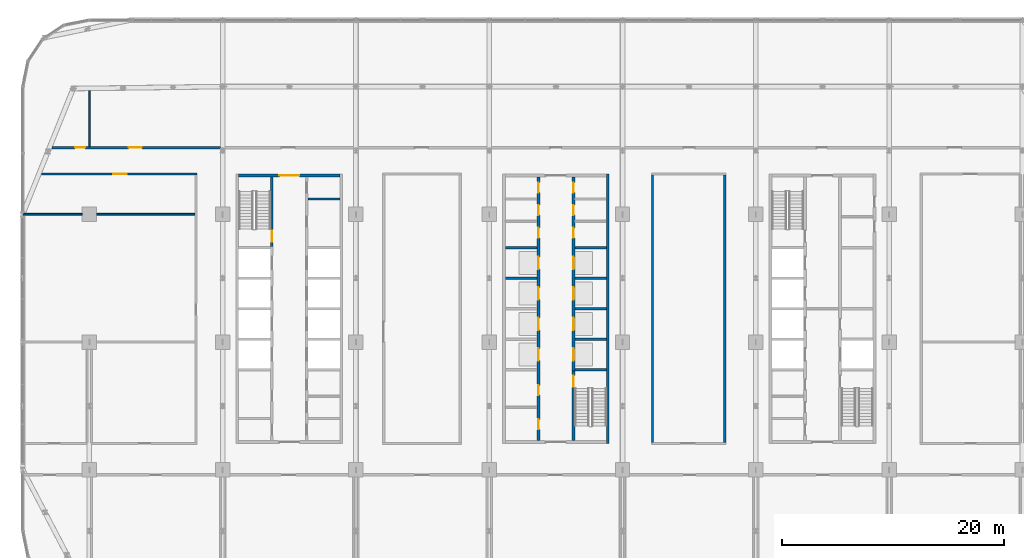
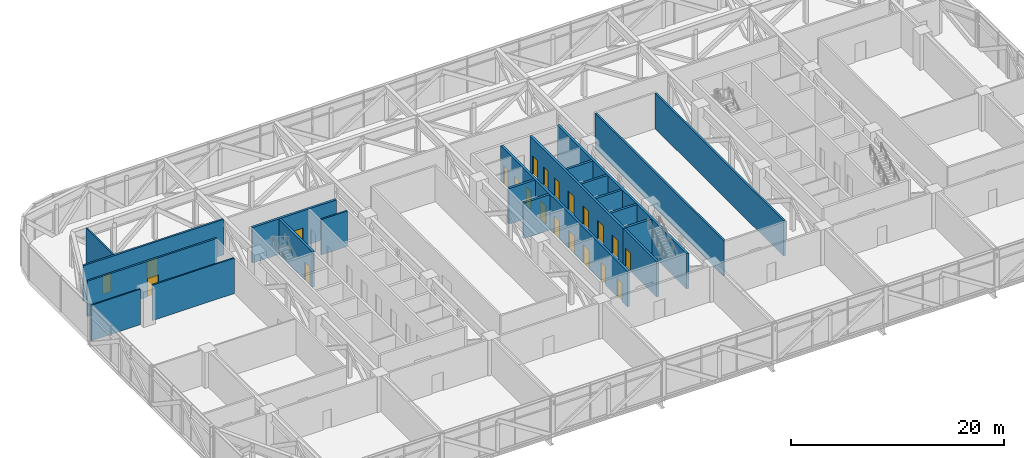
# One storey, part 18 of 30: 22 doors, 21 walls, 22 openings.
"""IFC4 building model written with IfcOpenShell, lengths in metres."""

from ifc_helpers import new_model, si_unit, direction, frame, frame_2d, origin, place, context, subcontext, project, spatial, rectangle, extrude, material, layer, layer_set, type_object, element, fill, save


model = new_model("IFC4")

# Units and contexts
model_context = context("Model", 3, precision=1e-05, world=origin(), true_north=direction((0.0, 1.0)))
body_context = subcontext(model_context, "Body", "Model", "MODEL_VIEW")
ifc_project = project(units=[si_unit("LENGTHUNIT", "METRE"), si_unit("AREAUNIT", "SQUARE_METRE"), si_unit("VOLUMEUNIT", "CUBIC_METRE"), si_unit("PLANEANGLEUNIT", "RADIAN"), si_unit("MASSUNIT", "GRAM", prefix="KILO")], contexts=[model_context])

# Site, building, storey
site_placement = place(None, origin())
site = spatial("IfcSite", under=ifc_project, at=site_placement, CompositionType="ELEMENT")
building_placement = place(site_placement, origin())
building = spatial("IfcBuilding", under=site, at=building_placement, Name="Mahtab Terrace Research Tower", CompositionType="ELEMENT")
storey_placement = place(building_placement, frame((0.0, 0.0, 154.800048828125)))
storey = spatial("IfcBuildingStorey", under=building, at=storey_placement, Name="L36", CompositionType="ELEMENT", Elevation=154.800048828125)

# Wall
ifc_material_1 = material(Name="Gypsum board partition")
ifc_layer_1 = layer(ifc_material_1, 0.14990234375)
ifc_layer_set_1 = layer_set([ifc_layer_1], Name="Core partition 150")
wall_type_1 = type_object("IfcWallType", Name="Core partition 150", PredefinedType="PARTITIONING", material=ifc_layer_set_1)
wall_1_placement = place(storey_placement, frame((-22.300048828125, 12.875, 0.0), z_axis=(0.0, 0.0, 1.0), x_axis=(1.0, 0.0, 0.0)))
element("IfcWall", 1, at=wall_1_placement, inside=storey, type_object=wall_type_1, Name="Core wall A pEN988", PredefinedType="PARTITIONING", context=body_context, shape_type="SweptSolid", body=[
    extrude(rectangle(XDim=2.85009765625, YDim=0.14990234375, at=frame_2d((1.425048828125, 0.0))), origin(), (0.0, 0.0, 1.0), 4.06005859375),
])

# Wall, opening, door
ifc_material_2 = material(Name="Concrete C70/85", Category="concrete")
ifc_layer_2 = layer(ifc_material_2, 0.25)
ifc_layer_set_2 = layer_set([ifc_layer_2], Name="Core wall 250")
wall_type_2 = type_object("IfcWallType", Name="Core wall 250", PredefinedType="SOLIDWALL", material=ifc_layer_set_2)
wall_2_placement = place(storey_placement, frame((-28.550048828125, 15.0, 0.0), z_axis=(0.0, 0.0, 1.0), x_axis=(1.0, 0.0, 0.0)))
wall_2 = element("IfcWall", 2, at=wall_2_placement, inside=storey, type_object=wall_type_2, Name="Core wall A endN", PredefinedType="SOLIDWALL", context=body_context, shape_type="SweptSolid", body=[
    extrude(rectangle(XDim=9.10009765625, YDim=0.25, at=frame_2d((4.550048828125, 0.0))), origin(), (0.0, 0.0, 1.0), 4.06005859375),
])
opening_1_placement = place(wall_2_placement, frame((3.64990234375, 0.0, 0.0)))
opening_1 = element("IfcOpeningElement", 3, at=opening_1_placement, cuts=wall_2, Name="Opening A-N1", PredefinedType="OPENING", context=body_context, shape_type="SweptSolid", body=[
    extrude(rectangle(XDim=1.800048828125, YDim=2.10009765625, at=frame_2d((0.89990234375, 1.050048828125))), frame((0.0, 0.135009765625, 0.0), z_axis=(0.0, -1.0, 0.0), x_axis=(1.0, 0.0, 0.0)), (0.0, 0.0, 1.0), 0.27001953125),
])
ifc_material_3 = material(Name="Steel fire door", Category="steel")
door_type_1 = type_object("IfcDoorType", Name="Lobby double door 1800x2100 1 HR", OperationType="DOUBLE_DOOR_SINGLE_SWING", PredefinedType="DOOR", material=ifc_material_3)
door_1_placement = place(opening_1_placement, origin())
door_1 = element("IfcDoor", 4, at=door_1_placement, inside=storey, type_object=door_type_1, Name="Core entrance door A N", OperationType="DOUBLE_DOOR_SINGLE_SWING", OverallHeight=2.10009765625, OverallWidth=1.800048828125, PredefinedType="DOOR", context=body_context, shape_type="SweptSolid", body=[
    extrude(rectangle(XDim=1.800048828125, YDim=2.10009765625, at=frame_2d((0.89990234375, 1.050048828125))), frame((0.0, 0.02490234375, 0.0), z_axis=(0.0, -1.0, 0.0), x_axis=(1.0, 0.0, 0.0)), (0.0, 0.0, 1.0), 0.050048828125),
])
fill(opening_1, door_1)

wall_3_placement = place(storey_placement, frame((-25.574951171875, 14.875, 0.0), z_axis=(0.0, 0.0, 1.0), x_axis=(0.0, -1.0, 0.0)))
wall_3 = element("IfcWall", 5, at=wall_3_placement, inside=storey, type_object=wall_type_2, Name="Core wall A innerWN", PredefinedType="SOLIDWALL", context=body_context, shape_type="SweptSolid", body=[
    extrude(rectangle(XDim=6.25, YDim=0.25, at=frame_2d((3.125, 0.0))), origin(), (0.0, 0.0, 1.0), 4.06005859375),
])
opening_2_placement = place(wall_3_placement, frame((4.85009765625, 0.0, 0.0)))
opening_2 = element("IfcOpeningElement", 6, at=opening_2_placement, cuts=wall_3, Name="Opening A-ST1", PredefinedType="OPENING", context=body_context, shape_type="SweptSolid", body=[
    extrude(rectangle(XDim=1.0, YDim=2.10009765625, at=frame_2d((0.5, 1.050048828125))), frame((0.0, 0.135009765625, 0.0), z_axis=(0.0, -1.0, 0.0), x_axis=(1.0, 0.0, 0.0)), (0.0, 0.0, 1.0), 0.27001953125),
])
door_type_2 = type_object("IfcDoorType", Name="Stair door 1000x2100 1.5 HR", OperationType="NOTDEFINED", PredefinedType="DOOR", material=ifc_material_3)
door_2_placement = place(opening_2_placement, origin())
door_2 = element("IfcDoor", 7, at=door_2_placement, inside=storey, type_object=door_type_2, Name="Stair door ST1 L36", OperationType="SINGLE_SWING_RIGHT", OverallHeight=2.10009765625, OverallWidth=1.0, PredefinedType="DOOR", context=body_context, shape_type="SweptSolid", body=[
    extrude(rectangle(XDim=1.0, YDim=2.10009765625, at=frame_2d((0.5, 1.050048828125))), frame((0.0, 0.02490234375, 0.0), z_axis=(0.0, -1.0, 0.0), x_axis=(1.0, 0.0, 0.0)), (0.0, 0.0, 1.0), 0.050048828125),
])
fill(opening_2, door_2)

# Wall
wall_4_placement = place(storey_placement, frame((4.675048828125, -9.125, 0.0), z_axis=(0.0, 0.0, 1.0), x_axis=(0.0, 1.0, 0.0)))
element("IfcWall", 8, at=wall_4_placement, inside=storey, type_object=wall_type_2, Name="Core wall B outerE", PredefinedType="SOLIDWALL", context=body_context, shape_type="SweptSolid", body=[
    extrude(rectangle(XDim=24.25, YDim=0.25, at=frame_2d((12.125, 0.0))), origin(), (0.0, 0.0, 1.0), 4.06005859375),
])

# Wall, openings, doors
wall_5_placement = place(storey_placement, frame((-1.574951171875, -8.875, 0.0), z_axis=(0.0, 0.0, 1.0), x_axis=(0.0, 1.0, 0.0)))
wall_5 = element("IfcWall", 9, at=wall_5_placement, inside=storey, type_object=wall_type_2, Name="Core wall B innerWSLN", PredefinedType="SOLIDWALL", context=body_context, shape_type="SweptSolid", body=[
    extrude(rectangle(XDim=23.75, YDim=0.25, at=frame_2d((11.875, 0.0))), origin(), (0.0, 0.0, 1.0), 4.06005859375),
])
opening_3_placement = place(wall_5_placement, frame((7.199951171875, 0.0, 0.0)))
opening_3 = element("IfcOpeningElement", 10, at=opening_3_placement, cuts=wall_5, Name="Opening LD09-L36", PredefinedType="OPENING", context=body_context, shape_type="SweptSolid", body=[
    extrude(rectangle(XDim=1.10009765625, YDim=2.10009765625, at=frame_2d((0.550048828125, 1.050048828125))), frame((0.0, 0.135009765625, 0.0), z_axis=(0.0, -1.0, 0.0), x_axis=(1.0, 0.0, 0.0)), (0.0, 0.0, 1.0), 0.27001953125),
])
opening_4_placement = place(wall_5_placement, frame((9.949951171875, 0.0, 0.0)))
opening_4 = element("IfcOpeningElement", 11, at=opening_4_placement, cuts=wall_5, Name="Opening LD10-L36", PredefinedType="OPENING", context=body_context, shape_type="SweptSolid", body=[
    extrude(rectangle(XDim=1.10009765625, YDim=2.10009765625, at=frame_2d((0.550048828125, 1.050048828125))), frame((0.0, 0.135009765625, 0.0), z_axis=(0.0, -1.0, 0.0), x_axis=(1.0, 0.0, 0.0)), (0.0, 0.0, 1.0), 0.27001953125),
])
opening_5_placement = place(wall_5_placement, frame((12.699951171875, 0.0, 0.0)))
opening_5 = element("IfcOpeningElement", 12, at=opening_5_placement, cuts=wall_5, Name="Opening LD11-L36", PredefinedType="OPENING", context=body_context, shape_type="SweptSolid", body=[
    extrude(rectangle(XDim=1.10009765625, YDim=2.10009765625, at=frame_2d((0.550048828125, 1.050048828125))), frame((0.0, 0.135009765625, 0.0), z_axis=(0.0, -1.0, 0.0), x_axis=(1.0, 0.0, 0.0)), (0.0, 0.0, 1.0), 0.27001953125),
])
opening_6_placement = place(wall_5_placement, frame((15.449951171875, 0.0, 0.0)))
opening_6 = element("IfcOpeningElement", 13, at=opening_6_placement, cuts=wall_5, Name="Opening LD12-L36", PredefinedType="OPENING", context=body_context, shape_type="SweptSolid", body=[
    extrude(rectangle(XDim=1.10009765625, YDim=2.10009765625, at=frame_2d((0.550048828125, 1.050048828125))), frame((0.0, 0.135009765625, 0.0), z_axis=(0.0, -1.0, 0.0), x_axis=(1.0, 0.0, 0.0)), (0.0, 0.0, 1.0), 0.27001953125),
])
opening_7_placement = place(wall_5_placement, frame((1.012451171875, 0.0, 0.0)))
opening_7 = element("IfcOpeningElement", 14, at=opening_7_placement, cuts=wall_5, Name="Opening B-R1", PredefinedType="OPENING", context=body_context, shape_type="SweptSolid", body=[
    extrude(rectangle(XDim=0.89990234375, YDim=2.10009765625, at=frame_2d((0.449951171875, 1.050048828125))), frame((0.0, 0.135009765625, 0.0), z_axis=(0.0, -1.0, 0.0), x_axis=(1.0, 0.0, 0.0)), (0.0, 0.0, 1.0), 0.27001953125),
])
opening_8_placement = place(wall_5_placement, frame((4.08740234375, 0.0, 0.0)))
opening_8 = element("IfcOpeningElement", 15, at=opening_8_placement, cuts=wall_5, Name="Opening B-R2", PredefinedType="OPENING", context=body_context, shape_type="SweptSolid", body=[
    extrude(rectangle(XDim=0.89990234375, YDim=2.10009765625, at=frame_2d((0.449951171875, 1.050048828125))), frame((0.0, 0.135009765625, 0.0), z_axis=(0.0, -1.0, 0.0), x_axis=(1.0, 0.0, 0.0)), (0.0, 0.0, 1.0), 0.27001953125),
])
opening_9_placement = place(wall_5_placement, frame((18.262451171875, 0.0, 0.0)))
opening_9 = element("IfcOpeningElement", 16, at=opening_9_placement, cuts=wall_5, Name="Opening B-R3", PredefinedType="OPENING", context=body_context, shape_type="SweptSolid", body=[
    extrude(rectangle(XDim=0.89990234375, YDim=2.10009765625, at=frame_2d((0.449951171875, 1.050048828125))), frame((0.0, 0.135009765625, 0.0), z_axis=(0.0, -1.0, 0.0), x_axis=(1.0, 0.0, 0.0)), (0.0, 0.0, 1.0), 0.27001953125),
])
opening_10_placement = place(wall_5_placement, frame((20.300048828125, 0.0, 0.0)))
opening_10 = element("IfcOpeningElement", 17, at=opening_10_placement, cuts=wall_5, Name="Opening B-R4", PredefinedType="OPENING", context=body_context, shape_type="SweptSolid", body=[
    extrude(rectangle(XDim=0.89990234375, YDim=2.10009765625, at=frame_2d((0.449951171875, 1.050048828125))), frame((0.0, 0.135009765625, 0.0), z_axis=(0.0, -1.0, 0.0), x_axis=(1.0, 0.0, 0.0)), (0.0, 0.0, 1.0), 0.27001953125),
])
opening_11_placement = place(wall_5_placement, frame((22.33740234375, 0.0, 0.0)))
opening_11 = element("IfcOpeningElement", 18, at=opening_11_placement, cuts=wall_5, Name="Opening B-R5", PredefinedType="OPENING", context=body_context, shape_type="SweptSolid", body=[
    extrude(rectangle(XDim=0.89990234375, YDim=2.10009765625, at=frame_2d((0.449951171875, 1.050048828125))), frame((0.0, 0.135009765625, 0.0), z_axis=(0.0, -1.0, 0.0), x_axis=(1.0, 0.0, 0.0)), (0.0, 0.0, 1.0), 0.27001953125),
])
ifc_material_4 = material(Name="Stainless steel AISI 304", Category="steel")
door_type_3 = type_object("IfcDoorType", Name="Landing door 1100x2100", OperationType="DOUBLE_DOOR_SLIDING", PredefinedType="DOOR", material=ifc_material_4)
door_3_placement = place(opening_3_placement, origin())
door_3 = element("IfcDoor", 19, at=door_3_placement, inside=storey, type_object=door_type_3, Name="Landing door HR1 L36", OperationType="DOUBLE_DOOR_SLIDING", OverallHeight=2.10009765625, OverallWidth=1.10009765625, PredefinedType="DOOR", context=body_context, shape_type="SweptSolid", body=[
    extrude(rectangle(XDim=1.10009765625, YDim=2.10009765625, at=frame_2d((0.550048828125, 1.050048828125))), frame((0.0, 0.02490234375, 0.0), z_axis=(0.0, -1.0, 0.0), x_axis=(1.0, 0.0, 0.0)), (0.0, 0.0, 1.0), 0.050048828125),
])
fill(opening_3, door_3)
door_4_placement = place(opening_4_placement, origin())
door_4 = element("IfcDoor", 20, at=door_4_placement, inside=storey, type_object=door_type_3, Name="Landing door HR2 L36", OperationType="DOUBLE_DOOR_SLIDING", OverallHeight=2.10009765625, OverallWidth=1.10009765625, PredefinedType="DOOR", context=body_context, shape_type="SweptSolid", body=[
    extrude(rectangle(XDim=1.10009765625, YDim=2.10009765625, at=frame_2d((0.550048828125, 1.050048828125))), frame((0.0, 0.02490234375, 0.0), z_axis=(0.0, -1.0, 0.0), x_axis=(1.0, 0.0, 0.0)), (0.0, 0.0, 1.0), 0.050048828125),
])
fill(opening_4, door_4)
door_5_placement = place(opening_5_placement, origin())
door_5 = element("IfcDoor", 21, at=door_5_placement, inside=storey, type_object=door_type_3, Name="Landing door HR3 L36", OperationType="DOUBLE_DOOR_SLIDING", OverallHeight=2.10009765625, OverallWidth=1.10009765625, PredefinedType="DOOR", context=body_context, shape_type="SweptSolid", body=[
    extrude(rectangle(XDim=1.10009765625, YDim=2.10009765625, at=frame_2d((0.550048828125, 1.050048828125))), frame((0.0, 0.02490234375, 0.0), z_axis=(0.0, -1.0, 0.0), x_axis=(1.0, 0.0, 0.0)), (0.0, 0.0, 1.0), 0.050048828125),
])
fill(opening_5, door_5)
door_6_placement = place(opening_6_placement, origin())
door_6 = element("IfcDoor", 22, at=door_6_placement, inside=storey, type_object=door_type_3, Name="Landing door HR4 L36", OperationType="DOUBLE_DOOR_SLIDING", OverallHeight=2.10009765625, OverallWidth=1.10009765625, PredefinedType="DOOR", context=body_context, shape_type="SweptSolid", body=[
    extrude(rectangle(XDim=1.10009765625, YDim=2.10009765625, at=frame_2d((0.550048828125, 1.050048828125))), frame((0.0, 0.02490234375, 0.0), z_axis=(0.0, -1.0, 0.0), x_axis=(1.0, 0.0, 0.0)), (0.0, 0.0, 1.0), 0.050048828125),
])
fill(opening_6, door_6)
door_type_4 = type_object("IfcDoorType", Name="Room door 900x2100 1 HR", OperationType="NOTDEFINED", PredefinedType="DOOR", material=ifc_material_3)
door_7_placement = place(opening_7_placement, origin())
door_7 = element("IfcDoor", 23, at=door_7_placement, inside=storey, type_object=door_type_4, Name="Housekeeping store door", OperationType="SINGLE_SWING_LEFT", OverallHeight=2.10009765625, OverallWidth=0.89990234375, PredefinedType="DOOR", context=body_context, shape_type="SweptSolid", body=[
    extrude(rectangle(XDim=0.89990234375, YDim=2.10009765625, at=frame_2d((0.449951171875, 1.050048828125))), frame((0.0, 0.02490234375, 0.0), z_axis=(0.0, -1.0, 0.0), x_axis=(1.0, 0.0, 0.0)), (0.0, 0.0, 1.0), 0.050048828125),
])
fill(opening_7, door_7)
door_8_placement = place(opening_8_placement, origin())
door_8 = element("IfcDoor", 24, at=door_8_placement, inside=storey, type_object=door_type_4, Name="Electrical riser room door", OperationType="SINGLE_SWING_RIGHT", OverallHeight=2.10009765625, OverallWidth=0.89990234375, PredefinedType="DOOR", context=body_context, shape_type="SweptSolid", body=[
    extrude(rectangle(XDim=0.89990234375, YDim=2.10009765625, at=frame_2d((0.449951171875, 1.050048828125))), frame((0.0, 0.02490234375, 0.0), z_axis=(0.0, -1.0, 0.0), x_axis=(1.0, 0.0, 0.0)), (0.0, 0.0, 1.0), 0.050048828125),
])
fill(opening_8, door_8)
door_9_placement = place(opening_9_placement, origin())
door_9 = element("IfcDoor", 25, at=door_9_placement, inside=storey, type_object=door_type_4, Name="Comms riser room door", OperationType="SINGLE_SWING_LEFT", OverallHeight=2.10009765625, OverallWidth=0.89990234375, PredefinedType="DOOR", context=body_context, shape_type="SweptSolid", body=[
    extrude(rectangle(XDim=0.89990234375, YDim=2.10009765625, at=frame_2d((0.449951171875, 1.050048828125))), frame((0.0, 0.02490234375, 0.0), z_axis=(0.0, -1.0, 0.0), x_axis=(1.0, 0.0, 0.0)), (0.0, 0.0, 1.0), 0.050048828125),
])
fill(opening_9, door_9)
door_10_placement = place(opening_10_placement, origin())
door_10 = element("IfcDoor", 26, at=door_10_placement, inside=storey, type_object=door_type_4, Name="Pantry door", OperationType="SINGLE_SWING_RIGHT", OverallHeight=2.10009765625, OverallWidth=0.89990234375, PredefinedType="DOOR", context=body_context, shape_type="SweptSolid", body=[
    extrude(rectangle(XDim=0.89990234375, YDim=2.10009765625, at=frame_2d((0.449951171875, 1.050048828125))), frame((0.0, 0.02490234375, 0.0), z_axis=(0.0, -1.0, 0.0), x_axis=(1.0, 0.0, 0.0)), (0.0, 0.0, 1.0), 0.050048828125),
])
fill(opening_10, door_10)
door_11_placement = place(opening_11_placement, origin())
door_11 = element("IfcDoor", 27, at=door_11_placement, inside=storey, type_object=door_type_4, Name="Cleaners store door", OperationType="SINGLE_SWING_LEFT", OverallHeight=2.10009765625, OverallWidth=0.89990234375, PredefinedType="DOOR", context=body_context, shape_type="SweptSolid", body=[
    extrude(rectangle(XDim=0.89990234375, YDim=2.10009765625, at=frame_2d((0.449951171875, 1.050048828125))), frame((0.0, 0.02490234375, 0.0), z_axis=(0.0, -1.0, 0.0), x_axis=(1.0, 0.0, 0.0)), (0.0, 0.0, 1.0), 0.050048828125),
])
fill(opening_11, door_11)

# Wall, opening, door
wall_6_placement = place(storey_placement, frame((1.574951171875, -8.875, 0.0), z_axis=(0.0, 0.0, 1.0), x_axis=(0.0, 1.0, 0.0)))
wall_6 = element("IfcWall", 28, at=wall_6_placement, inside=storey, type_object=wall_type_2, Name="Core wall B innerES", PredefinedType="SOLIDWALL", context=body_context, shape_type="SweptSolid", body=[
    extrude(rectangle(XDim=6.25, YDim=0.25, at=frame_2d((3.125, 0.0))), origin(), (0.0, 0.0, 1.0), 4.06005859375),
])
opening_12_placement = place(wall_6_placement, frame((4.85009765625, 0.0, 0.0)))
opening_12 = element("IfcOpeningElement", 29, at=opening_12_placement, cuts=wall_6, Name="Opening B-ST2", PredefinedType="OPENING", context=body_context, shape_type="SweptSolid", body=[
    extrude(rectangle(XDim=1.0, YDim=2.10009765625, at=frame_2d((0.5, 1.050048828125))), frame((0.0, 0.135009765625, 0.0), z_axis=(0.0, -1.0, 0.0), x_axis=(1.0, 0.0, 0.0)), (0.0, 0.0, 1.0), 0.27001953125),
])
door_12_placement = place(opening_12_placement, origin())
door_12 = element("IfcDoor", 30, at=door_12_placement, inside=storey, type_object=door_type_2, Name="Stair door ST2 L36", OperationType="SINGLE_SWING_LEFT", OverallHeight=2.10009765625, OverallWidth=1.0, PredefinedType="DOOR", context=body_context, shape_type="SweptSolid", body=[
    extrude(rectangle(XDim=1.0, YDim=2.10009765625, at=frame_2d((0.5, 1.050048828125))), frame((0.0, 0.02490234375, 0.0), z_axis=(0.0, -1.0, 0.0), x_axis=(1.0, 0.0, 0.0)), (0.0, 0.0, 1.0), 0.050048828125),
])
fill(opening_12, door_12)

# Wall, openings, doors
wall_7_placement = place(storey_placement, frame((1.574951171875, 14.875, 0.0), z_axis=(0.0, 0.0, 1.0), x_axis=(0.0, -1.0, 0.0)))
wall_7 = element("IfcWall", 31, at=wall_7_placement, inside=storey, type_object=wall_type_2, Name="Core wall B innerELN", PredefinedType="SOLIDWALL", context=body_context, shape_type="SweptSolid", body=[
    extrude(rectangle(XDim=17.5, YDim=0.25, at=frame_2d((8.75, 0.0))), origin(), (0.0, 0.0, 1.0), 4.06005859375),
])
opening_13_placement = place(wall_7_placement, frame((15.449951171875, 0.0, 0.0)))
opening_13 = element("IfcOpeningElement", 32, at=opening_13_placement, cuts=wall_7, Name="Opening LD13-L36", PredefinedType="OPENING", context=body_context, shape_type="SweptSolid", body=[
    extrude(rectangle(XDim=1.10009765625, YDim=2.10009765625, at=frame_2d((0.550048828125, 1.050048828125))), frame((0.0, 0.135009765625, 0.0), z_axis=(0.0, -1.0, 0.0), x_axis=(1.0, 0.0, 0.0)), (0.0, 0.0, 1.0), 0.27001953125),
])
opening_14_placement = place(wall_7_placement, frame((12.699951171875, 0.0, 0.0)))
opening_14 = element("IfcOpeningElement", 33, at=opening_14_placement, cuts=wall_7, Name="Opening LD14-L36", PredefinedType="OPENING", context=body_context, shape_type="SweptSolid", body=[
    extrude(rectangle(XDim=1.10009765625, YDim=2.10009765625, at=frame_2d((0.550048828125, 1.050048828125))), frame((0.0, 0.135009765625, 0.0), z_axis=(0.0, -1.0, 0.0), x_axis=(1.0, 0.0, 0.0)), (0.0, 0.0, 1.0), 0.27001953125),
])
opening_15_placement = place(wall_7_placement, frame((9.949951171875, 0.0, 0.0)))
opening_15 = element("IfcOpeningElement", 34, at=opening_15_placement, cuts=wall_7, Name="Opening LD15-L36", PredefinedType="OPENING", context=body_context, shape_type="SweptSolid", body=[
    extrude(rectangle(XDim=1.10009765625, YDim=2.10009765625, at=frame_2d((0.550048828125, 1.050048828125))), frame((0.0, 0.135009765625, 0.0), z_axis=(0.0, -1.0, 0.0), x_axis=(1.0, 0.0, 0.0)), (0.0, 0.0, 1.0), 0.27001953125),
])
opening_16_placement = place(wall_7_placement, frame((7.199951171875, 0.0, 0.0)))
opening_16 = element("IfcOpeningElement", 35, at=opening_16_placement, cuts=wall_7, Name="Opening LD16-L36", PredefinedType="OPENING", context=body_context, shape_type="SweptSolid", body=[
    extrude(rectangle(XDim=1.10009765625, YDim=2.10009765625, at=frame_2d((0.550048828125, 1.050048828125))), frame((0.0, 0.135009765625, 0.0), z_axis=(0.0, -1.0, 0.0), x_axis=(1.0, 0.0, 0.0)), (0.0, 0.0, 1.0), 0.27001953125),
])
opening_17_placement = place(wall_7_placement, frame((4.58740234375, 0.0, 0.0)))
opening_17 = element("IfcOpeningElement", 36, at=opening_17_placement, cuts=wall_7, Name="Opening B-R6", PredefinedType="OPENING", context=body_context, shape_type="SweptSolid", body=[
    extrude(rectangle(XDim=0.89990234375, YDim=2.10009765625, at=frame_2d((0.449951171875, 1.050048828125))), frame((0.0, 0.135009765625, 0.0), z_axis=(0.0, -1.0, 0.0), x_axis=(1.0, 0.0, 0.0)), (0.0, 0.0, 1.0), 0.27001953125),
])
opening_18_placement = place(wall_7_placement, frame((2.550048828125, 0.0, 0.0)))
opening_18 = element("IfcOpeningElement", 37, at=opening_18_placement, cuts=wall_7, Name="Opening B-R7", PredefinedType="OPENING", context=body_context, shape_type="SweptSolid", body=[
    extrude(rectangle(XDim=0.89990234375, YDim=2.10009765625, at=frame_2d((0.449951171875, 1.050048828125))), frame((0.0, 0.135009765625, 0.0), z_axis=(0.0, -1.0, 0.0), x_axis=(1.0, 0.0, 0.0)), (0.0, 0.0, 1.0), 0.27001953125),
])
opening_19_placement = place(wall_7_placement, frame((0.512451171875, 0.0, 0.0)))
opening_19 = element("IfcOpeningElement", 38, at=opening_19_placement, cuts=wall_7, Name="Opening B-R8", PredefinedType="OPENING", context=body_context, shape_type="SweptSolid", body=[
    extrude(rectangle(XDim=0.89990234375, YDim=2.10009765625, at=frame_2d((0.449951171875, 1.050048828125))), frame((0.0, 0.135009765625, 0.0), z_axis=(0.0, -1.0, 0.0), x_axis=(1.0, 0.0, 0.0)), (0.0, 0.0, 1.0), 0.27001953125),
])
door_13_placement = place(opening_13_placement, origin())
door_13 = element("IfcDoor", 39, at=door_13_placement, inside=storey, type_object=door_type_3, Name="Landing door HR5 L36", OperationType="DOUBLE_DOOR_SLIDING", OverallHeight=2.10009765625, OverallWidth=1.10009765625, PredefinedType="DOOR", context=body_context, shape_type="SweptSolid", body=[
    extrude(rectangle(XDim=1.10009765625, YDim=2.10009765625, at=frame_2d((0.550048828125, 1.050048828125))), frame((0.0, 0.02490234375, 0.0), z_axis=(0.0, -1.0, 0.0), x_axis=(1.0, 0.0, 0.0)), (0.0, 0.0, 1.0), 0.050048828125),
])
fill(opening_13, door_13)
door_14_placement = place(opening_14_placement, origin())
door_14 = element("IfcDoor", 40, at=door_14_placement, inside=storey, type_object=door_type_3, Name="Landing door HR6 L36", OperationType="DOUBLE_DOOR_SLIDING", OverallHeight=2.10009765625, OverallWidth=1.10009765625, PredefinedType="DOOR", context=body_context, shape_type="SweptSolid", body=[
    extrude(rectangle(XDim=1.10009765625, YDim=2.10009765625, at=frame_2d((0.550048828125, 1.050048828125))), frame((0.0, 0.02490234375, 0.0), z_axis=(0.0, -1.0, 0.0), x_axis=(1.0, 0.0, 0.0)), (0.0, 0.0, 1.0), 0.050048828125),
])
fill(opening_14, door_14)
door_15_placement = place(opening_15_placement, origin())
door_15 = element("IfcDoor", 41, at=door_15_placement, inside=storey, type_object=door_type_3, Name="Landing door HR7 L36", OperationType="DOUBLE_DOOR_SLIDING", OverallHeight=2.10009765625, OverallWidth=1.10009765625, PredefinedType="DOOR", context=body_context, shape_type="SweptSolid", body=[
    extrude(rectangle(XDim=1.10009765625, YDim=2.10009765625, at=frame_2d((0.550048828125, 1.050048828125))), frame((0.0, 0.02490234375, 0.0), z_axis=(0.0, -1.0, 0.0), x_axis=(1.0, 0.0, 0.0)), (0.0, 0.0, 1.0), 0.050048828125),
])
fill(opening_15, door_15)
door_16_placement = place(opening_16_placement, origin())
door_16 = element("IfcDoor", 42, at=door_16_placement, inside=storey, type_object=door_type_3, Name="Landing door HR8 L36", OperationType="DOUBLE_DOOR_SLIDING", OverallHeight=2.10009765625, OverallWidth=1.10009765625, PredefinedType="DOOR", context=body_context, shape_type="SweptSolid", body=[
    extrude(rectangle(XDim=1.10009765625, YDim=2.10009765625, at=frame_2d((0.550048828125, 1.050048828125))), frame((0.0, 0.02490234375, 0.0), z_axis=(0.0, -1.0, 0.0), x_axis=(1.0, 0.0, 0.0)), (0.0, 0.0, 1.0), 0.050048828125),
])
fill(opening_16, door_16)
door_17_placement = place(opening_17_placement, origin())
door_17 = element("IfcDoor", 43, at=door_17_placement, inside=storey, type_object=door_type_4, Name="Male WC door", OperationType="SINGLE_SWING_RIGHT", OverallHeight=2.10009765625, OverallWidth=0.89990234375, PredefinedType="DOOR", context=body_context, shape_type="SweptSolid", body=[
    extrude(rectangle(XDim=0.89990234375, YDim=2.10009765625, at=frame_2d((0.449951171875, 1.050048828125))), frame((0.0, 0.02490234375, 0.0), z_axis=(0.0, -1.0, 0.0), x_axis=(1.0, 0.0, 0.0)), (0.0, 0.0, 1.0), 0.050048828125),
])
fill(opening_17, door_17)
door_18_placement = place(opening_18_placement, origin())
door_18 = element("IfcDoor", 44, at=door_18_placement, inside=storey, type_object=door_type_4, Name="Female WC door", OperationType="SINGLE_SWING_LEFT", OverallHeight=2.10009765625, OverallWidth=0.89990234375, PredefinedType="DOOR", context=body_context, shape_type="SweptSolid", body=[
    extrude(rectangle(XDim=0.89990234375, YDim=2.10009765625, at=frame_2d((0.449951171875, 1.050048828125))), frame((0.0, 0.02490234375, 0.0), z_axis=(0.0, -1.0, 0.0), x_axis=(1.0, 0.0, 0.0)), (0.0, 0.0, 1.0), 0.050048828125),
])
fill(opening_18, door_18)
door_19_placement = place(opening_19_placement, origin())
door_19 = element("IfcDoor", 45, at=door_19_placement, inside=storey, type_object=door_type_4, Name="Accessible WC door", OperationType="SINGLE_SWING_RIGHT", OverallHeight=2.10009765625, OverallWidth=0.89990234375, PredefinedType="DOOR", context=body_context, shape_type="SweptSolid", body=[
    extrude(rectangle(XDim=0.89990234375, YDim=2.10009765625, at=frame_2d((0.449951171875, 1.050048828125))), frame((0.0, 0.02490234375, 0.0), z_axis=(0.0, -1.0, 0.0), x_axis=(1.0, 0.0, 0.0)), (0.0, 0.0, 1.0), 0.050048828125),
])
fill(opening_19, door_19)

# Walls
for number, where, z_axis, x_axis, name in (
    (46, (-4.550048828125, 5.75, 0.0), (0.0, 0.0, 1.0), (1.0, 0.0, 0.0), "Core wall B divW3"),
    (47, (-4.550048828125, 8.5, 0.0), (0.0, 0.0, 1.0), (1.0, 0.0, 0.0), "Core wall B divW4"),
    (48, (1.699951171875, -2.5, 0.0), (0.0, 0.0, 1.0), (1.0, 0.0, 0.0), "Core wall B divE0"),
    (49, (1.699951171875, 0.25, 0.0), (0.0, 0.0, 1.0), (1.0, 0.0, 0.0), "Core wall B divE1"),
    (50, (1.699951171875, 3.0, 0.0), (0.0, 0.0, 1.0), (1.0, 0.0, 0.0), "Core wall B divE2"),
    (51, (1.699951171875, 5.75, 0.0), (0.0, 0.0, 1.0), (1.0, 0.0, 0.0), "Core wall B divE3"),
    (52, (1.699951171875, 8.5, 0.0), (0.0, 0.0, 1.0), (1.0, 0.0, 0.0), "Core wall B divE4"),
):
    element("IfcWall", number, at=place(storey_placement, frame(where, z_axis=z_axis, x_axis=x_axis)), inside=storey, type_object=wall_type_2, Name=name, PredefinedType="SOLIDWALL", context=body_context, shape_type="SweptSolid", body=[
        extrude(rectangle(XDim=2.85009765625, YDim=0.25, at=frame_2d((1.425048828125, 0.0))), origin(), (0.0, 0.0, 1.0), 4.06005859375),
    ])

# Wall, opening, door
ifc_material_5 = material(Name="Gypsum board corridor wall on steel studs", Category="steel")
ifc_layer_3 = layer(ifc_material_5, 0.199951171875)
ifc_layer_set_3 = layer_set([ifc_layer_3], Name="WALL CORRIDOR 200")
wall_type_3 = type_object("IfcWallType", Name="WALL CORRIDOR 200", PredefinedType="PARTITIONING", material=ifc_layer_set_3)
wall_8_placement = place(storey_placement, frame((-46.326904296875, 15.125, 0.0), z_axis=(0.0, 0.0, 1.0), x_axis=(1.0, 0.0, 0.0)))
wall_8 = element("IfcWall", 53, at=wall_8_placement, inside=storey, type_object=wall_type_3, Name="L36-W022", PredefinedType="PARTITIONING", context=body_context, shape_type="SweptSolid", body=[
    extrude(rectangle(XDim=14.02685546875, YDim=0.199951171875, at=frame_2d((7.013427734375, 0.0))), origin(), (0.0, 0.0, 1.0), 4.06005859375),
])
opening_20_placement = place(wall_8_placement, frame((6.5, 0.0, 0.0)))
opening_20 = element("IfcOpeningElement", 54, at=opening_20_placement, cuts=wall_8, Name="Opening L36-119", PredefinedType="OPENING", context=body_context, shape_type="SweptSolid", body=[
    extrude(rectangle(XDim=1.199951171875, YDim=2.10009765625, at=frame_2d((0.60009765625, 1.050048828125))), frame((0.0, 0.10986328125, 0.0), z_axis=(0.0, -1.0, 0.0), x_axis=(1.0, 0.0, 0.0)), (0.0, 0.0, 1.0), 0.219970703125),
])
ifc_material_6 = material(Name="Timber door leaf in steel frame", Category="steel")
door_type_5 = type_object("IfcDoorType", Name="DOOR 1200X2100 FD30S", OperationType="SINGLE_SWING_LEFT", PredefinedType="DOOR", material=ifc_material_6)
door_20_placement = place(opening_20_placement, origin())
door_20 = element("IfcDoor", 55, at=door_20_placement, inside=storey, type_object=door_type_5, Name="Door L36-119", OperationType="SINGLE_SWING_LEFT", OverallHeight=2.10009765625, OverallWidth=1.199951171875, PredefinedType="DOOR", context=body_context, shape_type="SweptSolid", body=[
    extrude(rectangle(XDim=1.199951171875, YDim=2.10009765625, at=frame_2d((0.60009765625, 1.050048828125))), frame((0.0, 0.02490234375, 0.0), z_axis=(0.0, -1.0, 0.0), x_axis=(1.0, 0.0, 0.0)), (0.0, 0.0, 1.0), 0.050048828125),
])
fill(opening_20, door_20)

# Wall, openings, doors
wall_9_placement = place(storey_placement, frame((-45.3720703125, 17.5, 0.0), z_axis=(0.0, 0.0, 1.0), x_axis=(1.0, 0.0, 0.0)))
wall_9 = element("IfcWall", 56, at=wall_9_placement, inside=storey, type_object=wall_type_3, Name="L36-W027", PredefinedType="PARTITIONING", context=body_context, shape_type="SweptSolid", body=[
    extrude(rectangle(XDim=15.172119140625, YDim=0.199951171875, at=frame_2d((7.5859375, 0.0))), origin(), (0.0, 0.0, 1.0), 4.06005859375),
])
opening_21_placement = place(wall_9_placement, frame((2.10009765625, 0.0, 0.0)))
opening_21 = element("IfcOpeningElement", 57, at=opening_21_placement, cuts=wall_9, Name="Opening L36-120", PredefinedType="OPENING", context=body_context, shape_type="SweptSolid", body=[
    extrude(rectangle(XDim=0.89990234375, YDim=2.10009765625, at=frame_2d((0.449951171875, 1.050048828125))), frame((0.0, 0.10986328125, 0.0), z_axis=(0.0, -1.0, 0.0), x_axis=(1.0, 0.0, 0.0)), (0.0, 0.0, 1.0), 0.219970703125),
])
opening_22_placement = place(wall_9_placement, frame((6.89990234375, 0.0, 0.0)))
opening_22 = element("IfcOpeningElement", 58, at=opening_22_placement, cuts=wall_9, Name="Opening L36-121", PredefinedType="OPENING", context=body_context, shape_type="SweptSolid", body=[
    extrude(rectangle(XDim=1.199951171875, YDim=2.10009765625, at=frame_2d((0.60009765625, 1.050048828125))), frame((0.0, 0.10986328125, 0.0), z_axis=(0.0, -1.0, 0.0), x_axis=(1.0, 0.0, 0.0)), (0.0, 0.0, 1.0), 0.219970703125),
])
door_type_6 = type_object("IfcDoorType", Name="DOOR 0900X2100 FD30S", OperationType="SINGLE_SWING_LEFT", PredefinedType="DOOR", material=ifc_material_6)
door_21_placement = place(opening_21_placement, origin())
door_21 = element("IfcDoor", 59, at=door_21_placement, inside=storey, type_object=door_type_6, Name="Door L36-120", OperationType="SINGLE_SWING_LEFT", OverallHeight=2.10009765625, OverallWidth=0.89990234375, PredefinedType="DOOR", context=body_context, shape_type="SweptSolid", body=[
    extrude(rectangle(XDim=0.89990234375, YDim=2.10009765625, at=frame_2d((0.449951171875, 1.050048828125))), frame((0.0, 0.02490234375, 0.0), z_axis=(0.0, -1.0, 0.0), x_axis=(1.0, 0.0, 0.0)), (0.0, 0.0, 1.0), 0.050048828125),
])
fill(opening_21, door_21)
door_22_placement = place(opening_22_placement, origin())
door_22 = element("IfcDoor", 60, at=door_22_placement, inside=storey, type_object=door_type_5, Name="Door L36-121", OperationType="SINGLE_SWING_LEFT", OverallHeight=2.10009765625, OverallWidth=1.199951171875, PredefinedType="DOOR", context=body_context, shape_type="SweptSolid", body=[
    extrude(rectangle(XDim=1.199951171875, YDim=2.10009765625, at=frame_2d((0.60009765625, 1.050048828125))), frame((0.0, 0.02490234375, 0.0), z_axis=(0.0, -1.0, 0.0), x_axis=(1.0, 0.0, 0.0)), (0.0, 0.0, 1.0), 0.050048828125),
])
fill(opening_22, door_22)

# Walls
for number, where, z_axis, x_axis, name in (
    (61, (8.699951171875, -9.02490234375, 0.0), (0.0, 0.0, 1.0), (0.0, 1.0, 0.0), "L36-W049"),
    (62, (15.199951171875, -9.02490234375, 0.0), (0.0, 0.0, 1.0), (0.0, 1.0, 0.0), "L36-W050"),
):
    element("IfcWall", number, at=place(storey_placement, frame(where, z_axis=z_axis, x_axis=x_axis)), inside=storey, type_object=wall_type_3, Name=name, PredefinedType="PARTITIONING", context=body_context, shape_type="SweptSolid", body=[
        extrude(rectangle(XDim=24.0498046875, YDim=0.199951171875, at=frame_2d((12.02490234375, 0.0))), origin(), (0.0, 0.0, 1.0), 4.06005859375),
    ])
ifc_material_7 = material(Name="Gypsum board partition on steel studs", Category="steel")
ifc_layer_4 = layer(ifc_material_7, 0.14990234375)
ifc_layer_set_4 = layer_set([ifc_layer_4], Name="WALL PARTITION 150")
wall_type_4 = type_object("IfcWallType", Name="WALL PARTITION 150", PredefinedType="PARTITIONING", material=ifc_layer_set_4)
wall_10_placement = place(storey_placement, frame((-47.97509765625, 11.5, 0.0), z_axis=(0.0, 0.0, 1.0), x_axis=(1.0, 0.0, 0.0)))
element("IfcWall", 63, at=wall_10_placement, inside=storey, type_object=wall_type_4, Name="L36-W020", PredefinedType="PARTITIONING", context=body_context, shape_type="SweptSolid", body=[
    extrude(rectangle(XDim=5.3251953125, YDim=0.14990234375, at=frame_2d((2.66259765625, 0.0))), origin(), (0.0, 0.0, 1.0), 4.06005859375),
])
wall_11_placement = place(storey_placement, frame((-41.35009765625, 11.5, 0.0), z_axis=(0.0, 0.0, 1.0), x_axis=(1.0, 0.0, 0.0)))
element("IfcWall", 64, at=wall_11_placement, inside=storey, type_object=wall_type_4, Name="L36-W021", PredefinedType="PARTITIONING", context=body_context, shape_type="SweptSolid", body=[
    extrude(rectangle(XDim=8.85009765625, YDim=0.14990234375, at=frame_2d((4.425048828125, 0.0))), origin(), (0.0, 0.0, 1.0), 4.06005859375),
])
wall_12_placement = place(storey_placement, frame((-42.0, 17.60009765625, 0.0), z_axis=(0.0, 0.0, 1.0), x_axis=(0.0, 1.0, 0.0)))
element("IfcWall", 65, at=wall_12_placement, inside=storey, type_object=wall_type_4, Name="L36-W035", PredefinedType="PARTITIONING", context=body_context, shape_type="SweptSolid", body=[
    extrude(rectangle(XDim=5.041015625, YDim=0.14990234375, at=frame_2d((2.5205078125, 0.0))), origin(), (0.0, 0.0, 1.0), 4.06005859375),
])

save(model, "model.ifc")
